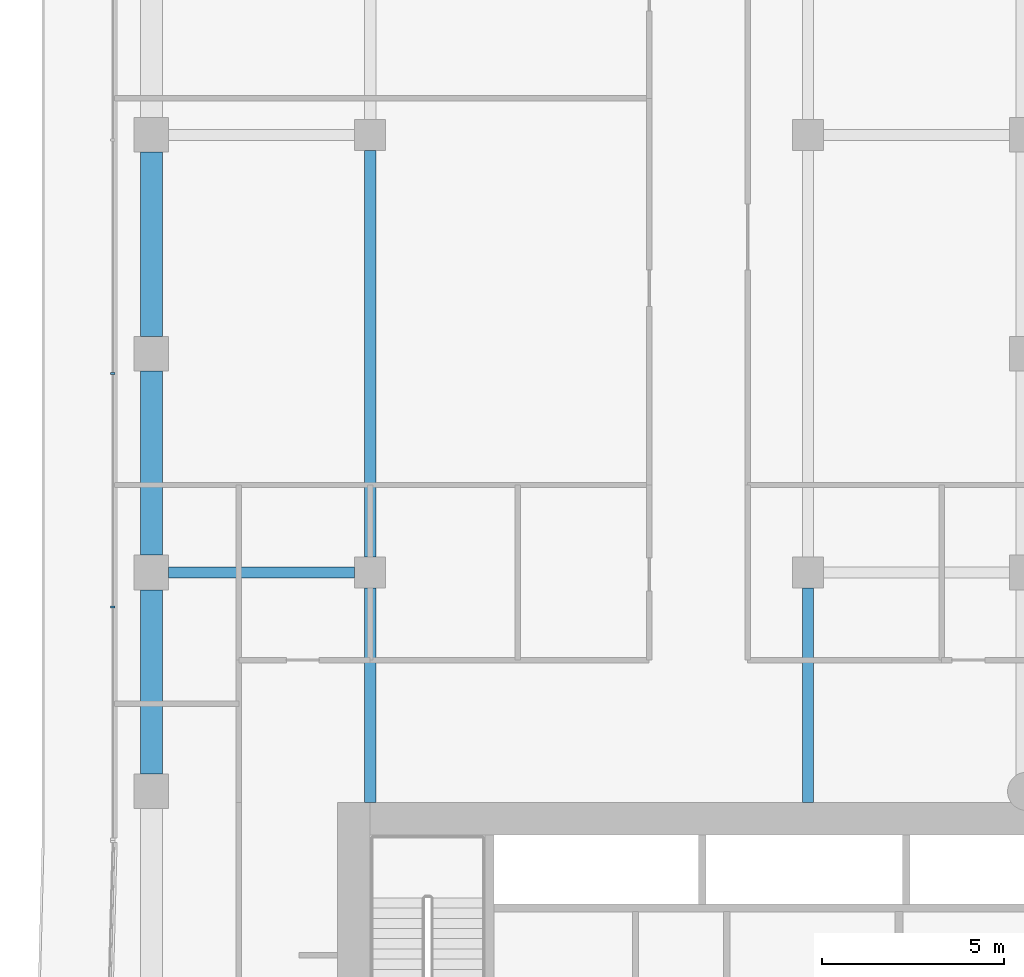
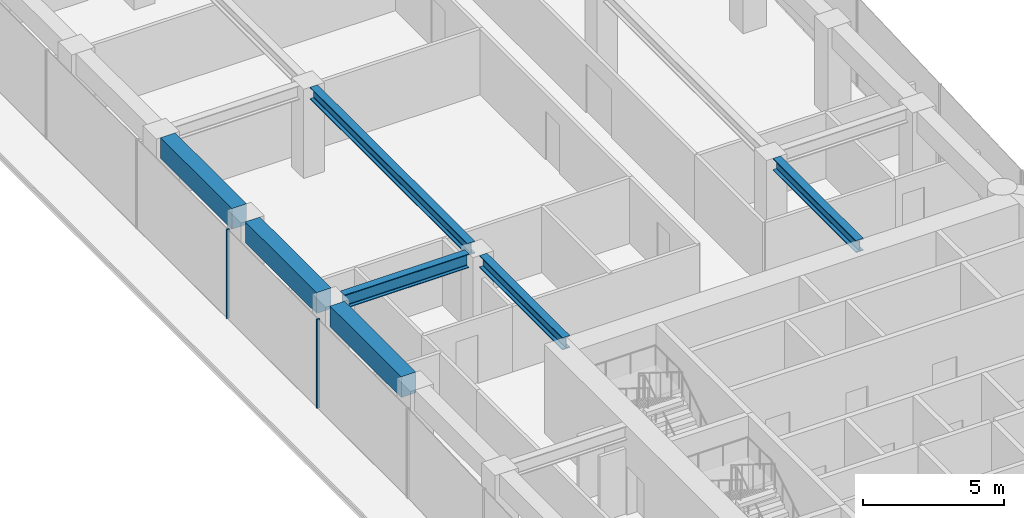
# One storey, part 13 of 28: 7 beams, 2 members, 1 element without a shape of its own.
"""IFC4 building model written with IfcOpenShell, lengths in metres."""

import ifcopenshell
import ifcopenshell.guid

model = None  # the IFC model being written
_history = None  # IfcOwnerHistory: only IFC2X3 demands one
_inside = {}  # id of a spatial element -> (the spatial element, [elements in it])
_under = {}  # id of a project, library or spatial element -> (it, [spatial elements below it])
_declared = {}  # id of a project -> (the project, [libraries it declares])
_typed = {}  # id of a type object -> (the type object, [elements of that type])
_made_of = {}  # id of a material, layer set ... -> (it, [elements and type objects made of it])


def new_model(schema):
    """Start an empty IFC model of exactly this schema.

    Asked for "IFC4X3", IfcOpenShell would pick the latest addendum, in which some entities
    have other attributes; the version numbers below select the first issue.
    IFC2X3 requires an IfcOwnerHistory on every rooted entity: one is made here for all.
    """
    global model, _history
    if schema == "IFC4X3":
        model = ifcopenshell.file(schema_version=(4, 3, 0, 0))
    else:
        model = ifcopenshell.file(schema=schema)
    _inside.clear()
    _under.clear()
    _declared.clear()
    _typed.clear()
    _made_of.clear()
    _history = None
    if model.schema == "IFC2X3":
        org = make("IfcOrganization", Name="unknown")
        user = make(
            "IfcPersonAndOrganization",
            ThePerson=make("IfcPerson", FamilyName="unknown"),
            TheOrganization=org,
        )
        app = make(
            "IfcApplication",
            ApplicationDeveloper=org,
            Version="unknown",
            ApplicationFullName="unknown",
            ApplicationIdentifier="unknown",
        )
        _history = make(
            "IfcOwnerHistory",
            OwningUser=user,
            OwningApplication=app,
            ChangeAction="ADDED",
            CreationDate=0,
        )
    return model


def make(cls, **values):
    """One entity of the class cls with the attributes given. An attribute that is None is left unset."""
    return model.create_entity(
        cls, **{name: value for name, value in values.items() if value is not None}
    )


def rooted(cls, **values):
    """An entity with a GlobalId (a new one), such as an element, a storey or a relation."""
    return make(cls, GlobalId=ifcopenshell.guid.new(), OwnerHistory=_history, **values)


def si_unit(unit_type, name, prefix=None):
    """IfcSIUnit, for example si_unit("LENGTHUNIT", "METRE", prefix="MILLI")."""
    return make("IfcSIUnit", UnitType=unit_type, Prefix=prefix, Name=name)


def assignment(units):
    """IfcUnitAssignment: the units of a project."""
    return None if units is None else make("IfcUnitAssignment", Units=units)


def point(xyz):
    """IfcCartesianPoint."""
    return None if xyz is None else make("IfcCartesianPoint", Coordinates=xyz)


def direction(xyz):
    """IfcDirection."""
    return None if xyz is None else make("IfcDirection", DirectionRatios=xyz)


def frame(location, z_axis=None, x_axis=None):
    """IfcAxis2Placement3D, a coordinate frame: its origin and axes. An axis left out is left unset."""
    return make(
        "IfcAxis2Placement3D",
        Location=point(location),
        Axis=direction(z_axis),
        RefDirection=direction(x_axis),
    )


def frame_2d(location, x_axis=None):
    """IfcAxis2Placement2D, a coordinate frame in the plane: its origin and x axis."""
    return make(
        "IfcAxis2Placement2D", Location=point(location), RefDirection=direction(x_axis)
    )


def origin():
    """The frame at (0, 0, 0) with its axes left unset."""
    return frame((0.0, 0.0, 0.0))


def origin_2d():
    """The frame at (0, 0) in the plane with its x axis left unset."""
    return frame_2d((0.0, 0.0))


def place(relative_to, where):
    """IfcLocalPlacement: puts the frame where relative to a parent placement (None: the world)."""
    return make(
        "IfcLocalPlacement", PlacementRelTo=relative_to, RelativePlacement=where
    )


def context(
    kind, dimensions, precision=None, world=None, true_north=None, identifier=None
):
    """IfcGeometricRepresentationContext, for example the 3D "Model" context."""
    return make(
        "IfcGeometricRepresentationContext",
        ContextIdentifier=identifier,
        ContextType=kind,
        CoordinateSpaceDimension=dimensions,
        Precision=precision,
        WorldCoordinateSystem=world,
        TrueNorth=true_north,
    )


def subcontext(parent, identifier, kind, view, scale=None):
    """IfcGeometricRepresentationSubContext, for example "Body" below "Model"."""
    return make(
        "IfcGeometricRepresentationSubContext",
        ContextIdentifier=identifier,
        ContextType=kind,
        ParentContext=parent,
        TargetScale=scale,
        TargetView=view,
    )


def project(units=None, contexts=None):
    """IfcProject with its units and contexts."""
    return rooted(
        "IfcProject",
        Name="project",
        RepresentationContexts=contexts,
        UnitsInContext=assignment(units),
    )


def spatial(cls, under=None, at=None, **own):
    """A site, building, storey or space (cls), placed at a placement, below another one or the project."""
    s = rooted(cls, ObjectPlacement=at, **own)
    if under is not None:
        _under.setdefault(under.id(), (under, []))[1].append(s)
    return s


def profile(cls, at=None, kind="AREA", **sizes):
    """A parametric profile (cls). Its sizes go by their IFC names, for example OverallWidth=200.0."""
    return make(cls, ProfileType=kind, Position=at, **sizes)


def rectangle(**sizes):
    """IfcRectangleProfileDef."""
    return profile("IfcRectangleProfileDef", **sizes)


def i_section(**sizes):
    """IfcIShapeProfileDef."""
    return profile("IfcIShapeProfileDef", **sizes)


def extrude(swept, where, along, depth):
    """IfcExtrudedAreaSolid: the profile swept, set in the frame where, extruded along a direction by depth."""
    return make(
        "IfcExtrudedAreaSolid",
        SweptArea=swept,
        Position=where,
        ExtrudedDirection=direction(along),
        Depth=depth,
    )


def shape(context_of_items, identifier, shape_type, items):
    """IfcShapeRepresentation: the items that make up one representation, for example the "Body"."""
    return make(
        "IfcShapeRepresentation",
        ContextOfItems=context_of_items,
        RepresentationIdentifier=identifier,
        RepresentationType=shape_type,
        Items=items,
    )


def material(Name=None, Category=None):
    """IfcMaterial."""
    return make("IfcMaterial", Name=Name, Category=Category)


def layer(
    of_material, thickness, ventilated=None, Name=None, Category=None, Priority=None
):
    """IfcMaterialLayer: one layer of a wall or slab, of a material (None: an air gap)."""
    return make(
        "IfcMaterialLayer",
        Material=of_material,
        LayerThickness=thickness,
        IsVentilated=ventilated,
        Name=Name,
        Category=Category,
        Priority=Priority,
    )


def layer_set(layers, Name=None):
    """IfcMaterialLayerSet."""
    return make("IfcMaterialLayerSet", MaterialLayers=layers, LayerSetName=Name)


def material_profile(
    of_material, cross_section, Name=None, Category=None, Priority=None
):
    """IfcMaterialProfile: a cross section and its material."""
    return make(
        "IfcMaterialProfile",
        Name=Name,
        Material=of_material,
        Profile=cross_section,
        Priority=Priority,
        Category=Category,
    )


def profile_set(profiles, Name=None, composite=None):
    """IfcMaterialProfileSet."""
    return make(
        "IfcMaterialProfileSet",
        Name=Name,
        MaterialProfiles=profiles,
        CompositeProfile=composite,
    )


def made_of(thing, what):
    """Note that an element or type object is made of a material, layer set ...; save() writes the relation."""
    if what is not None:
        _made_of.setdefault(what.id(), (what, []))[1].append(thing)
    return thing


def type_object(cls, material=None, **own):
    """A type object (cls), such as IfcWallType, which elements share."""
    return made_of(rooted(cls, **own), material)


def element(
    cls,
    number,
    at=None,
    inside=None,
    cuts=None,
    type_object=None,
    material=None,
    context=None,
    identifier="Body",
    shape_type=None,
    held_by="IfcProductDefinitionShape",
    body=None,
    shapes=None,
    **own,
):
    """One element of the class cls, such as IfcWall. Its Tag is "e" and its number.

    at: its placement. inside: the storey or other place that contains it. cuts: it is an
    opening in that element (IfcRelVoidsElement). A single representation is given by context,
    identifier, shape_type and body (its items); several are given by shapes. held_by: the class
    of the entity that holds the representations. save() writes the other relations.
    """
    e = rooted(cls, Tag="e%d" % number, ObjectPlacement=at, **own)
    if body is not None:
        shapes = [shape(context, identifier, shape_type, body)]
    if shapes is not None:
        e.Representation = make(held_by, Representations=shapes)
    if inside is not None:
        _inside.setdefault(inside.id(), (inside, []))[1].append(e)
    if cuts is not None:
        rooted(
            "IfcRelVoidsElement", RelatingBuildingElement=cuts, RelatedOpeningElement=e
        )
    if type_object is not None:
        _typed.setdefault(type_object.id(), (type_object, []))[1].append(e)
    return made_of(e, material)


def aggregate(whole, parts):
    """IfcRelAggregates: a whole, such as a stair, and the parts it consists of."""
    return rooted("IfcRelAggregates", RelatingObject=whole, RelatedObjects=parts)


def save(model, path):
    """Write the relations noted so far, then the file.

    IfcRelAggregates (storeys below a building ...), IfcRelContainedInSpatialStructure (elements
    in a storey), IfcRelDefinesByType, IfcRelAssociatesMaterial and IfcRelDeclares: one each for
    every whole, place, type object, material and project.
    """
    for whole, parts in _under.values():
        aggregate(whole, parts)
    for where, things in _inside.values():
        rooted(
            "IfcRelContainedInSpatialStructure",
            RelatedElements=things,
            RelatingStructure=where,
        )
    for kind, things in _typed.values():
        rooted("IfcRelDefinesByType", RelatedObjects=things, RelatingType=kind)
    for what, things in _made_of.values():
        rooted("IfcRelAssociatesMaterial", RelatedObjects=things, RelatingMaterial=what)
    for by, libraries in _declared.values():
        rooted("IfcRelDeclares", RelatingContext=by, RelatedDefinitions=libraries)
    model.write(path)


model = new_model("IFC4")

# Units and contexts
model_context = context("Model", 3, precision=1e-05, world=origin(), true_north=direction((0.0, 1.0)))
body_context = subcontext(model_context, "Body", "Model", "MODEL_VIEW")
ifc_project = project(units=[si_unit("LENGTHUNIT", "METRE"), si_unit("AREAUNIT", "SQUARE_METRE"), si_unit("VOLUMEUNIT", "CUBIC_METRE"), si_unit("PLANEANGLEUNIT", "RADIAN"), si_unit("MASSUNIT", "GRAM", prefix="KILO")], contexts=[model_context])

# Site, building, storey
site_placement = place(None, origin())
site = spatial("IfcSite", under=ifc_project, at=site_placement, CompositionType="ELEMENT")
building_placement = place(site_placement, origin())
building = spatial("IfcBuilding", under=site, at=building_placement, Name="Welwitschia Terrace Campus", CompositionType="ELEMENT")
storey_placement = place(building_placement, frame((0.0, 0.0, 45.800048828125)))
storey = spatial("IfcBuildingStorey", under=building, at=storey_placement, Name="L10", CompositionType="ELEMENT", Elevation=45.800048828125)

# Beams
ifc_material_1 = material(Name="Steel S355", Category="steel")
ifc_material_profile_1 = material_profile(ifc_material_1, i_section(OverallWidth=0.305908203125, OverallDepth=0.52392578125, WebThickness=0.02099609375, FlangeThickness=0.0400390625, FilletRadius=0.027099609375, at=origin_2d()))
ifc_profile_set_1 = profile_set([ifc_material_profile_1], Name="Steel S355")
beam_type_1 = type_object("IfcBeamType", Name="Interior girder HE 500 M", PredefinedType="BEAM", material=ifc_profile_set_1)
beam_1_placement = place(storey_placement, frame((6.0, 25.700927734375, 3.587890625), z_axis=(0.0, 1.0, 0.0), x_axis=(-1.0, 0.0, 0.0)))
element("IfcBeam", 1, at=beam_1_placement, inside=storey, type_object=beam_type_1, Name="Girder GB2", PredefinedType="BEAM", context=body_context, shape_type="SweptSolid", body=[
    extrude(i_section(OverallWidth=0.305908203125, OverallDepth=0.52392578125, WebThickness=0.02099609375, FlangeThickness=0.0400390625, FilletRadius=0.027099609375, at=origin_2d()), origin(), (0.0, 0.0, 1.0), 5.87353515625),
])
beam_2_placement = place(storey_placement, frame((6.0, 32.425537109375, 3.587890625), z_axis=(0.0, 1.0, 0.0), x_axis=(-1.0, 0.0, 0.0)))
element("IfcBeam", 2, at=beam_2_placement, inside=storey, type_object=beam_type_1, Name="Girder GB2", PredefinedType="BEAM", context=body_context, shape_type="SweptSolid", body=[
    extrude(i_section(OverallWidth=0.305908203125, OverallDepth=0.52392578125, WebThickness=0.02099609375, FlangeThickness=0.0400390625, FilletRadius=0.027099609375, at=origin_2d()), origin(), (0.0, 0.0, 1.0), 11.14892578125),
])
beam_3_placement = place(storey_placement, frame((18.0, 25.700927734375, 3.587890625), z_axis=(0.0, 1.0, 0.0), x_axis=(-1.0, 0.0, 0.0)))
element("IfcBeam", 3, at=beam_3_placement, inside=storey, type_object=beam_type_1, Name="Girder GB2", PredefinedType="BEAM", context=body_context, shape_type="SweptSolid", body=[
    extrude(i_section(OverallWidth=0.305908203125, OverallDepth=0.52392578125, WebThickness=0.02099609375, FlangeThickness=0.0400390625, FilletRadius=0.027099609375, at=origin_2d()), origin(), (0.0, 0.0, 1.0), 5.87353515625),
])

# Curtain wall, members
ifc_material_2 = material(Name="Bronze anodised aluminium", Category="aluminium")
ifc_layer = layer(ifc_material_2, 0.1201171875)
ifc_layer_set = layer_set([ifc_layer], Name="Bronze anodised aluminium")
curtain_wall_type = type_object("IfcCurtainWallType", Name="Curtain wall CW2 tower 6000", PredefinedType="NOTDEFINED", material=ifc_layer_set)
curtain_wall_placement = place(storey_placement, origin())
curtain_wall = element("IfcCurtainWall", 4, at=curtain_wall_placement, inside=storey, type_object=curtain_wall_type, Name="CW L10.11.0", PredefinedType="NOTDEFINED")
ifc_material_3 = material(Name="Bronze anodised aluminium", Category="aluminium")
ifc_material_profile_2 = material_profile(ifc_material_3, rectangle(XDim=0.1201171875, YDim=0.06005859375, at=origin_2d()))
ifc_profile_set_2 = profile_set([ifc_material_profile_2], Name="Bronze anodised aluminium")
member_type = type_object("IfcMemberType", Name="Mullion 60x120", PredefinedType="MULLION", material=ifc_profile_set_2)
member_1_placement = place(storey_placement, frame((-1.05810546875, 37.4560546875, 0.0), z_axis=(0.0, 0.0, 1.0), x_axis=(1.0, 0.0, 0.0)))
member_1 = element("IfcMember", 5, at=member_1_placement, type_object=member_type, Name="Mullion L10.11.0.4", PredefinedType="MULLION", context=body_context, shape_type="SweptSolid", body=[
    extrude(rectangle(XDim=0.1201171875, YDim=0.06005859375, at=origin_2d()), origin(), (0.0, 0.0, 1.0), 3.849853515625),
])
member_2_placement = place(storey_placement, frame((-1.05810546875, 31.055908203125, 0.0), z_axis=(0.0, 0.0, 1.0), x_axis=(1.0, 0.0, 0.0)))
member_2 = element("IfcMember", 6, at=member_2_placement, type_object=member_type, Name="Mullion L10.11.0.5", PredefinedType="MULLION", context=body_context, shape_type="SweptSolid", body=[
    extrude(rectangle(XDim=0.1201171875, YDim=0.06005859375, at=origin_2d()), origin(), (0.0, 0.0, 1.0), 3.849853515625),
])
aggregate(curtain_wall, [member_1, member_2])

# Beams
ifc_material_4 = material(Name="Steel S355", Category="steel")
ifc_material_profile_3 = material_profile(ifc_material_4, i_section(OverallWidth=0.300048828125, OverallDepth=0.60009765625, WebThickness=0.015380859375, FlangeThickness=0.030029296875, FilletRadius=0.027099609375, at=origin_2d()))
ifc_profile_set_3 = profile_set([ifc_material_profile_3], Name="Steel S355")
beam_type_2 = type_object("IfcBeamType", Name="Primary beam HE 600 B", PredefinedType="BEAM", material=ifc_profile_set_3)
beam_4_placement = place(storey_placement, frame((0.4755859375, 32.0, 3.550048828125), z_axis=(1.0, 0.0, 0.0), x_axis=(0.0, 1.0, 0.0)))
element("IfcBeam", 7, at=beam_4_placement, inside=storey, type_object=beam_type_2, Name="Primary beam PB2", PredefinedType="BEAM", context=body_context, shape_type="SweptSolid", body=[
    extrude(i_section(OverallWidth=0.300048828125, OverallDepth=0.60009765625, WebThickness=0.015380859375, FlangeThickness=0.030029296875, FilletRadius=0.027099609375, at=origin_2d()), origin(), (0.0, 0.0, 1.0), 5.098876953125),
])
ifc_material_5 = material(Name="Concrete C60/75", Category="concrete")
ifc_material_profile_4 = material_profile(ifc_material_5, rectangle(XDim=0.60009765625, YDim=0.89990234375, at=origin_2d()))
ifc_profile_set_4 = profile_set([ifc_material_profile_4], Name="Concrete C60/75")
beam_type_3 = type_object("IfcBeamType", Name="Ring spandrel 600x900", PredefinedType="SPANDREL", material=ifc_profile_set_4)
for number, where, z_axis, x_axis, name in (
    (8, (0.0, 43.5244140625, 3.39990234375), (0.0, -1.0, 0.0), (1.0, 0.0, 0.0), "Spandrel SP2"),
    (9, (0.0, 37.5244140625, 3.39990234375), (0.0, -1.0, 0.0), (1.0, 0.0, 0.0), "Spandrel SP2"),
    (10, (0.0, 31.5244140625, 3.39990234375), (0.0, -1.0, 0.0), (1.0, 0.0, 0.0), "Spandrel SP2"),
):
    element("IfcBeam", number, at=place(storey_placement, frame(where, z_axis=z_axis, x_axis=x_axis)), inside=storey, type_object=beam_type_3, Name=name, PredefinedType="SPANDREL", context=body_context, shape_type="SweptSolid", body=[
        extrude(rectangle(XDim=0.60009765625, YDim=0.89990234375, at=origin_2d()), origin(), (0.0, 0.0, 1.0), 5.048828125),
    ])

save(model, "model.ifc")
